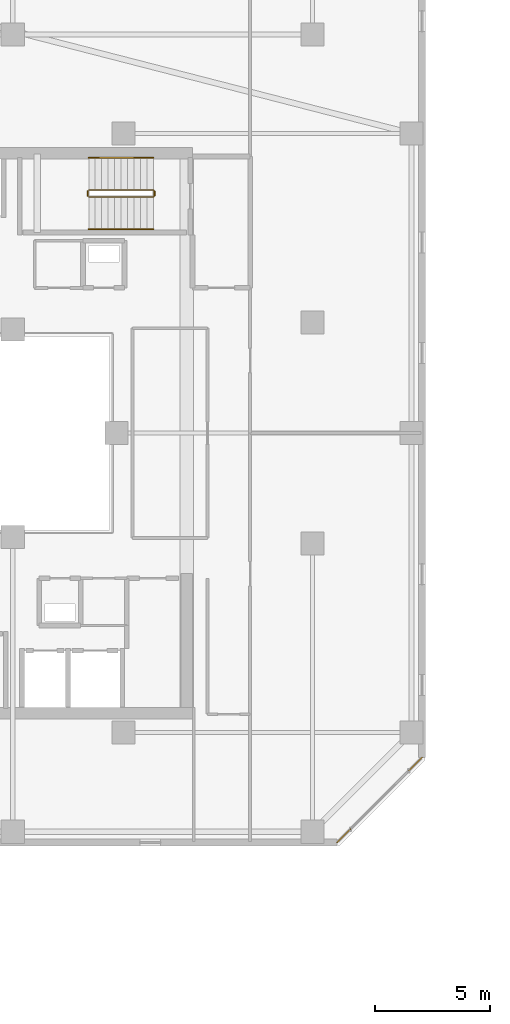
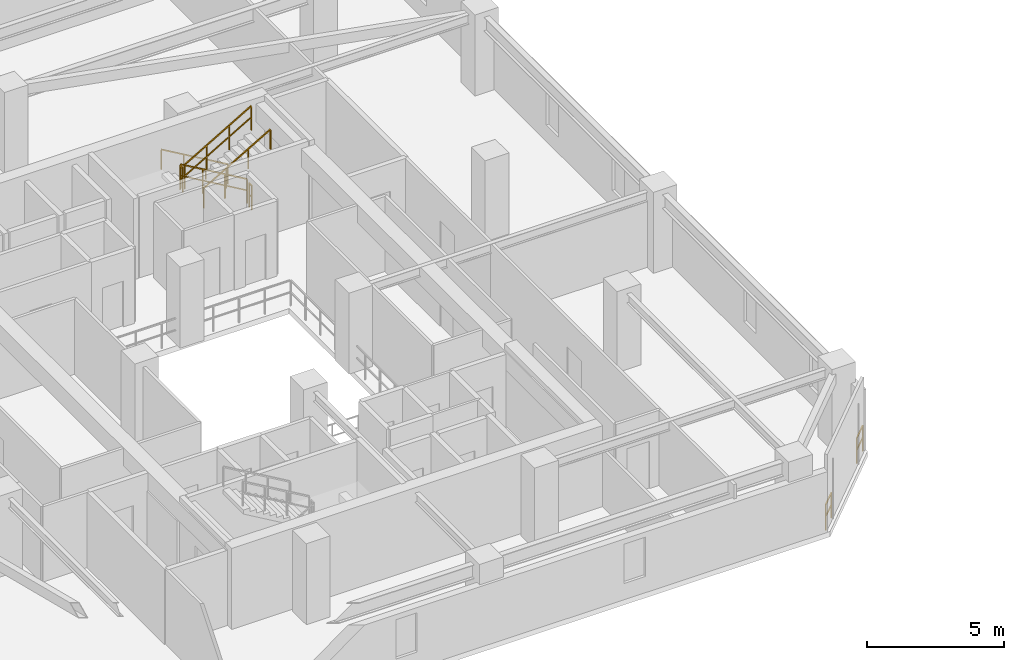
# One storey, part 31 of 33: 8 railings.
"""IFC4 building model written with IfcOpenShell, lengths in metres."""

from ifc_helpers import new_model, si_unit, direction, frame, origin, origin_2d, place, context, subcontext, project, spatial, rectangle, extrude, material, type_object, element, save


model = new_model("IFC4")

# Units and contexts
model_context = context("Model", 3, precision=1e-05, world=origin(), true_north=direction((0.0, 1.0)))
body_context = subcontext(model_context, "Body", "Model", "MODEL_VIEW")
ifc_project = project(units=[si_unit("LENGTHUNIT", "METRE"), si_unit("AREAUNIT", "SQUARE_METRE"), si_unit("VOLUMEUNIT", "CUBIC_METRE"), si_unit("PLANEANGLEUNIT", "RADIAN"), si_unit("MASSUNIT", "GRAM", prefix="KILO")], contexts=[model_context])

# Site, building, storey
site_placement = place(None, origin())
site = spatial("IfcSite", under=ifc_project, at=site_placement, CompositionType="ELEMENT")
building_placement = place(site_placement, origin())
building = spatial("IfcBuilding", under=site, at=building_placement, Name="Thornwick Lancets Civic Towers", CompositionType="ELEMENT")
storey_placement = place(building_placement, frame((0.0, 0.0, 207.300048828125)))
storey = spatial("IfcBuildingStorey", under=building, at=storey_placement, Name="L55", CompositionType="ELEMENT", Elevation=207.300048828125)

# Railings
ifc_material_1 = material(Name="Brushed stainless steel S355", Category="steel")
railing_type_1 = type_object("IfcRailingType", Name="RAIL_HANDRAIL", PredefinedType="HANDRAIL", material=ifc_material_1)
railing_1_placement = place(storey_placement, frame((31.60009765625, 38.949951171875, 0.16357421875)))
element("IfcRailing", 1, at=railing_1_placement, inside=storey, type_object=railing_type_1, Name="L55 ST-A2 stair handrail 1", PredefinedType="HANDRAIL", context=body_context, shape_type="SweptSolid", body=[
    extrude(rectangle(XDim=0.048095703125, YDim=0.048095703125, at=origin_2d()), frame((0.0, 0.0, 0.8857421875), z_axis=(-0.863360870873, 0.0, 0.504586966384), x_axis=(0.0, -1.0, 0.0)), (0.0, 0.0, 1.0), 3.2431640625),
    extrude(rectangle(XDim=0.0419921875, YDim=0.0419921875, at=origin_2d()), origin(), (0.0, 0.0, 1.0), 0.855712890625),
    extrude(rectangle(XDim=0.0419921875, YDim=0.0419921875, at=origin_2d()), frame((-0.933349609375, 0.0, 0.54541015625)), (0.0, 0.0, 1.0), 0.855712890625),
    extrude(rectangle(XDim=0.0419921875, YDim=0.0419921875, at=origin_2d()), frame((-1.86669921875, 0.0, 1.091064453125)), (0.0, 0.0, 1.0), 0.855712890625),
    extrude(rectangle(XDim=0.0419921875, YDim=0.0419921875, at=origin_2d()), frame((-2.800048828125, 0.0, 1.636474609375)), (0.0, 0.0, 1.0), 0.855712890625),
])
railing_2_placement = place(storey_placement, frame((28.800048828125, 35.85009765625, 1.963623046875)))
element("IfcRailing", 2, at=railing_2_placement, inside=storey, type_object=railing_type_1, Name="L55 ST-A2 stair handrail 2", PredefinedType="HANDRAIL", context=body_context, shape_type="SweptSolid", body=[
    extrude(rectangle(XDim=0.048095703125, YDim=0.048095703125, at=origin_2d()), frame((0.0, 0.0, 0.8857421875), z_axis=(0.863393664356, 0.0, 0.504530851732), x_axis=(0.0, 1.0, 0.0)), (0.0, 0.0, 1.0), 3.2431640625),
    extrude(rectangle(XDim=0.0419921875, YDim=0.0419921875, at=origin_2d()), origin(), (0.0, 0.0, 1.0), 0.855712890625),
    extrude(rectangle(XDim=0.0419921875, YDim=0.0419921875, at=origin_2d()), frame((0.933349609375, 0.0, 0.54541015625)), (0.0, 0.0, 1.0), 0.855712890625),
    extrude(rectangle(XDim=0.0419921875, YDim=0.0419921875, at=origin_2d()), frame((1.86669921875, 0.0, 1.0908203125)), (0.0, 0.0, 1.0), 0.855712890625),
    extrude(rectangle(XDim=0.0419921875, YDim=0.0419921875, at=origin_2d()), frame((2.800048828125, 0.0, 1.63623046875)), (0.0, 0.0, 1.0), 0.855712890625),
])
ifc_material_2 = material(Name="Steel S355JR", Category="steel")
railing_type_2 = type_object("IfcRailingType", Name="RAIL_STAIR_GUARD", PredefinedType="GUARDRAIL", material=ifc_material_2)
railing_3_placement = place(storey_placement, frame((31.60009765625, 37.550048828125, 0.16357421875)))
element("IfcRailing", 3, at=railing_3_placement, inside=storey, type_object=railing_type_2, Name="L55 ST-A2 stair guard 1", PredefinedType="GUARDRAIL", context=body_context, shape_type="SweptSolid", body=[
    extrude(rectangle(XDim=0.048095703125, YDim=0.048095703125, at=origin_2d()), frame((0.0, 0.0, 1.076171875), z_axis=(-0.863360870873, 0.0, 0.504586966384), x_axis=(0.0, -1.0, 0.0)), (0.0, 0.0, 1.0), 3.2431640625),
    extrude(rectangle(XDim=0.0419921875, YDim=0.0419921875, at=origin_2d()), frame((-0.032470703125, 0.0, 0.591064453125), z_axis=(-0.863360870873, 0.0, 0.504586966384), x_axis=(0.0, -1.0, 0.0)), (0.0, 0.0, 1.0), 1.006103515625),
    extrude(rectangle(XDim=0.0419921875, YDim=0.0419921875, at=origin_2d()), frame((-0.9658203125, 0.0, 1.136474609375), z_axis=(-0.863360870873, 0.0, 0.504586966384), x_axis=(0.0, -1.0, 0.0)), (0.0, 0.0, 1.0), 1.006103515625),
    extrude(rectangle(XDim=0.0419921875, YDim=0.0419921875, at=origin_2d()), frame((-1.899169921875, 0.0, 1.681884765625), z_axis=(-0.863360870873, 0.0, 0.504586966384), x_axis=(0.0, -1.0, 0.0)), (0.0, 0.0, 1.0), 1.006103515625),
    extrude(rectangle(XDim=0.0419921875, YDim=0.0419921875, at=origin_2d()), origin(), (0.0, 0.0, 1.0), 1.0458984375),
    extrude(rectangle(XDim=0.0419921875, YDim=0.0419921875, at=origin_2d()), frame((-0.933349609375, 0.0, 0.54541015625)), (0.0, 0.0, 1.0), 1.0458984375),
    extrude(rectangle(XDim=0.0419921875, YDim=0.0419921875, at=origin_2d()), frame((-1.86669921875, 0.0, 1.091064453125)), (0.0, 0.0, 1.0), 1.0458984375),
    extrude(rectangle(XDim=0.0419921875, YDim=0.0419921875, at=origin_2d()), frame((-2.800048828125, 0.0, 1.636474609375)), (0.0, 0.0, 1.0), 1.0458984375),
])
railing_4_placement = place(storey_placement, frame((28.75, 37.5, 1.800048828125)))
element("IfcRailing", 4, at=railing_4_placement, inside=storey, type_object=railing_type_2, Name="L55 ST-A2 stair guard 2", PredefinedType="GUARDRAIL", context=body_context, shape_type="SweptSolid", body=[
    extrude(rectangle(XDim=0.048095703125, YDim=0.048095703125, at=origin_2d()), frame((0.0, 0.0, 1.076171875), z_axis=(0.0, -1.0, 0.0), x_axis=(1.0, 0.0, 0.0)), (0.0, 0.0, 1.0), 0.199951171875),
    extrude(rectangle(XDim=0.0419921875, YDim=0.0419921875, at=origin_2d()), frame((0.0, -0.03759765625, 0.572021484375), z_axis=(0.0, -1.0, 0.0), x_axis=(1.0, 0.0, 0.0)), (0.0, 0.0, 1.0), 0.125),
    extrude(rectangle(XDim=0.0419921875, YDim=0.0419921875, at=origin_2d()), origin(), (0.0, 0.0, 1.0), 1.0458984375),
    extrude(rectangle(XDim=0.0419921875, YDim=0.0419921875, at=origin_2d()), frame((0.0, -0.199951171875, 0.0)), (0.0, 0.0, 1.0), 1.0458984375),
])
railing_5_placement = place(storey_placement, frame((28.800048828125, 37.25, 1.963623046875)))
element("IfcRailing", 5, at=railing_5_placement, inside=storey, type_object=railing_type_2, Name="L55 ST-A2 stair guard 3", PredefinedType="GUARDRAIL", context=body_context, shape_type="SweptSolid", body=[
    extrude(rectangle(XDim=0.048095703125, YDim=0.048095703125, at=origin_2d()), frame((0.0, 0.0, 1.076171875), z_axis=(0.863393664356, 0.0, 0.504530851732), x_axis=(0.0, 1.0, 0.0)), (0.0, 0.0, 1.0), 3.2431640625),
    extrude(rectangle(XDim=0.0419921875, YDim=0.0419921875, at=origin_2d()), frame((0.032470703125, 0.0, 0.591064453125), z_axis=(0.863393664356, 0.0, 0.504530851732), x_axis=(0.0, 1.0, 0.0)), (0.0, 0.0, 1.0), 1.006103515625),
    extrude(rectangle(XDim=0.0419921875, YDim=0.0419921875, at=origin_2d()), frame((0.9658203125, 0.0, 1.136474609375), z_axis=(0.863393664356, 0.0, 0.504530851732), x_axis=(0.0, 1.0, 0.0)), (0.0, 0.0, 1.0), 1.006103515625),
    extrude(rectangle(XDim=0.0419921875, YDim=0.0419921875, at=origin_2d()), frame((1.899169921875, 0.0, 1.681884765625), z_axis=(0.863393664356, 0.0, 0.504530851732), x_axis=(0.0, 1.0, 0.0)), (0.0, 0.0, 1.0), 1.006103515625),
    extrude(rectangle(XDim=0.0419921875, YDim=0.0419921875, at=origin_2d()), origin(), (0.0, 0.0, 1.0), 1.0458984375),
    extrude(rectangle(XDim=0.0419921875, YDim=0.0419921875, at=origin_2d()), frame((0.933349609375, 0.0, 0.54541015625)), (0.0, 0.0, 1.0), 1.0458984375),
    extrude(rectangle(XDim=0.0419921875, YDim=0.0419921875, at=origin_2d()), frame((1.86669921875, 0.0, 1.0908203125)), (0.0, 0.0, 1.0), 1.0458984375),
    extrude(rectangle(XDim=0.0419921875, YDim=0.0419921875, at=origin_2d()), frame((2.800048828125, 0.0, 1.63623046875)), (0.0, 0.0, 1.0), 1.0458984375),
])
railing_6_placement = place(storey_placement, frame((31.64990234375, 37.5, 0.0)))
element("IfcRailing", 6, at=railing_6_placement, inside=storey, type_object=railing_type_2, Name="L55 ST-A2 stair guard 4", PredefinedType="GUARDRAIL", context=body_context, shape_type="SweptSolid", body=[
    extrude(rectangle(XDim=0.048095703125, YDim=0.048095703125, at=origin_2d()), frame((0.0, 0.0, 1.076171875), z_axis=(0.0, -1.0, 0.0), x_axis=(1.0, 0.0, 0.0)), (0.0, 0.0, 1.0), 0.199951171875),
    extrude(rectangle(XDim=0.0419921875, YDim=0.0419921875, at=origin_2d()), frame((0.0, -0.03759765625, 0.572021484375), z_axis=(0.0, -1.0, 0.0), x_axis=(1.0, 0.0, 0.0)), (0.0, 0.0, 1.0), 0.125),
    extrude(rectangle(XDim=0.0419921875, YDim=0.0419921875, at=origin_2d()), origin(), (0.0, 0.0, 1.0), 1.0458984375),
    extrude(rectangle(XDim=0.0419921875, YDim=0.0419921875, at=origin_2d()), frame((0.0, -0.199951171875, 0.0)), (0.0, 0.0, 1.0), 1.0458984375),
])
ifc_material_3 = material(Name="Terracotta-capped laminated glass balustrade S355", Category="masonry")
railing_type_3 = type_object("IfcRailingType", Name="RAIL_TERR_GUARD", PredefinedType="GUARDRAIL", material=ifc_material_3)
railing_7_placement = place(storey_placement, frame((39.57763671875, 9.239013671875, 0.0)))
element("IfcRailing", 7, at=railing_7_placement, inside=storey, type_object=railing_type_3, Name="L55 Tower A Chamfer Spandrel Guard E1-1", PredefinedType="GUARDRAIL", context=body_context, shape_type="SweptSolid", body=[
    extrude(rectangle(XDim=0.048095703125, YDim=0.048095703125, at=origin_2d()), frame((0.0, 0.0, 1.1259765625), z_axis=(0.707256734905, 0.706956795662, 0.0), x_axis=(-0.706956795662, 0.707256734905, 0.0)), (0.0, 0.0, 1.0), 0.81396484375),
    extrude(rectangle(XDim=0.0419921875, YDim=0.0419921875, at=origin_2d()), frame((0.026611328125, 0.026611328125, 0.597900390625), z_axis=(0.707256734905, 0.706956795662, 0.0), x_axis=(-0.706956795662, 0.707256734905, 0.0)), (0.0, 0.0, 1.0), 0.739013671875),
    extrude(rectangle(XDim=0.0419921875, YDim=0.0419921875, at=origin_2d()), origin(), (0.0, 0.0, 1.0), 1.095703125),
    extrude(rectangle(XDim=0.0419921875, YDim=0.0419921875, at=origin_2d()), frame((0.57568359375, 0.575439453125, 0.0)), (0.0, 0.0, 1.0), 1.095703125),
])
railing_8_placement = place(storey_placement, frame((42.685546875, 12.3466796875, 0.0)))
element("IfcRailing", 8, at=railing_8_placement, inside=storey, type_object=railing_type_3, Name="L55 Tower A Chamfer Spandrel Guard E1-2", PredefinedType="GUARDRAIL", context=body_context, shape_type="SweptSolid", body=[
    extrude(rectangle(XDim=0.048095703125, YDim=0.048095703125, at=origin_2d()), frame((0.0, 0.0, 1.1259765625), z_axis=(0.706956795662, 0.707256734905, 0.0), x_axis=(-0.707256734905, 0.706956795662, 0.0)), (0.0, 0.0, 1.0), 0.81396484375),
    extrude(rectangle(XDim=0.0419921875, YDim=0.0419921875, at=origin_2d()), frame((0.026611328125, 0.026611328125, 0.597900390625), z_axis=(0.706956795662, 0.707256734905, 0.0), x_axis=(-0.707256734905, 0.706956795662, 0.0)), (0.0, 0.0, 1.0), 0.739013671875),
    extrude(rectangle(XDim=0.0419921875, YDim=0.0419921875, at=origin_2d()), origin(), (0.0, 0.0, 1.0), 1.095703125),
    extrude(rectangle(XDim=0.0419921875, YDim=0.0419921875, at=origin_2d()), frame((0.575439453125, 0.57568359375, 0.0)), (0.0, 0.0, 1.0), 1.095703125),
])

save(model, "model.ifc")
